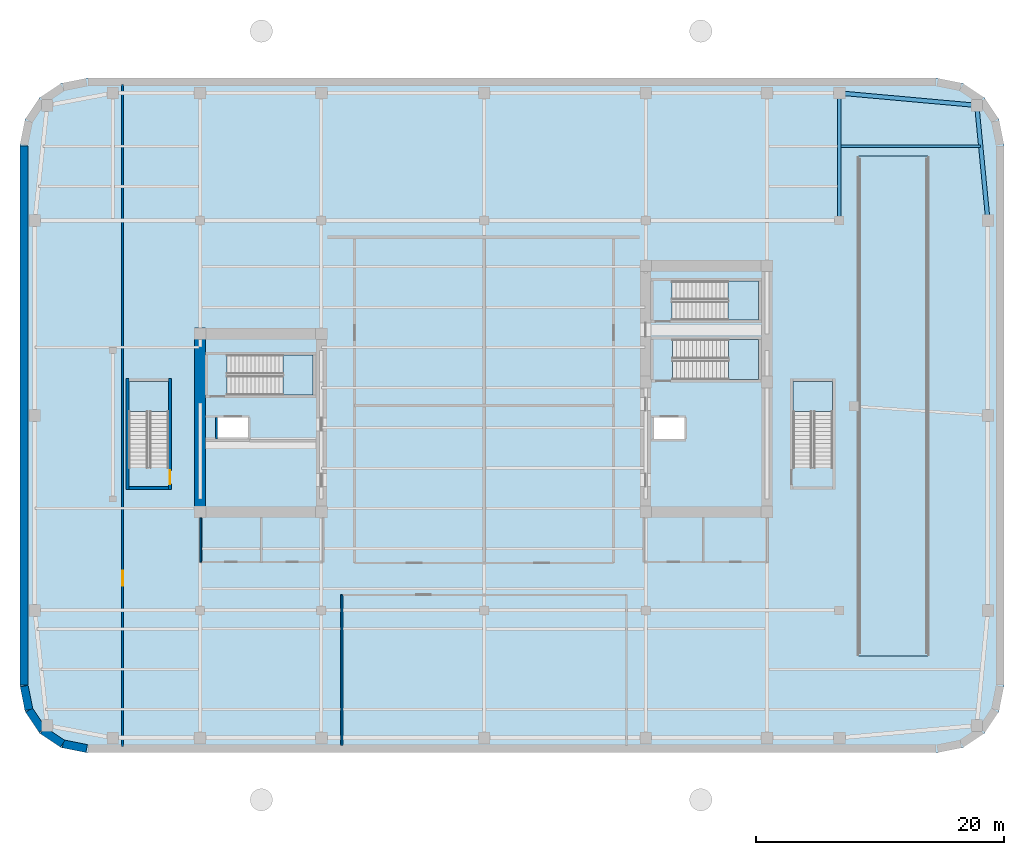
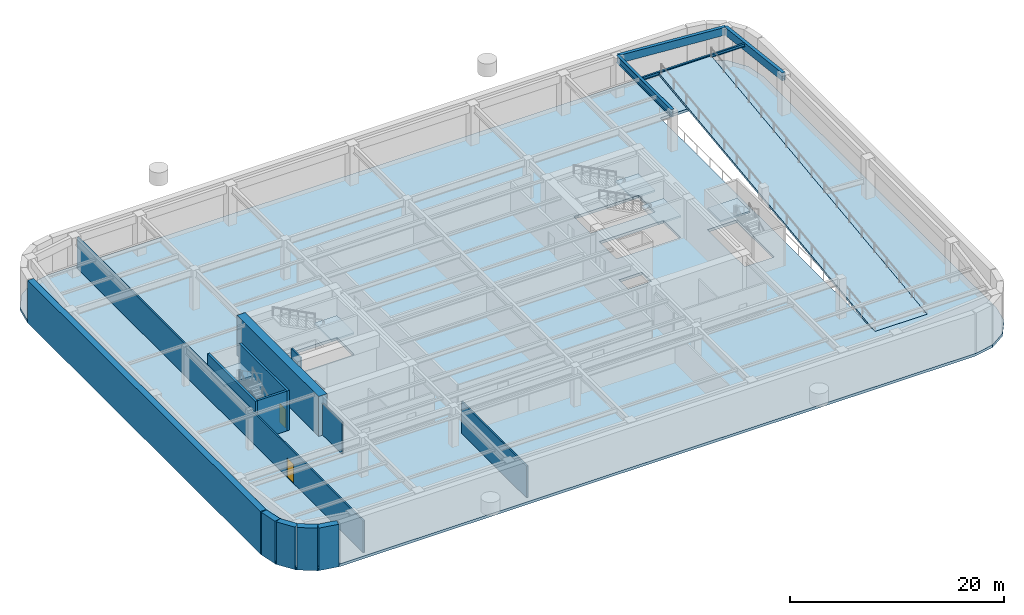
# One storey, part 3 of 12: 13 walls, 7 slabs, 4 beams, 2 doors, 2 openings, 5 elements without a shape of their own.
"""IFC4 building model written with IfcOpenShell, lengths in metres."""

from ifc_helpers import new_model, si_unit, direction, frame, frame_2d, origin, origin_2d, place, context, subcontext, project, spatial, polyline, rectangle, hollow_rectangle, i_section, outline, extrude, material, layer, layer_set, material_profile, profile_set, type_object, element, fill, aggregate, save


model = new_model("IFC4")

# Units and contexts
model_context = context("Model", 3, precision=1e-05, world=origin(), true_north=direction((0.0, 1.0)))
body_context = subcontext(model_context, "Body", "Model", "MODEL_VIEW")
ifc_project = project(units=[si_unit("LENGTHUNIT", "METRE"), si_unit("AREAUNIT", "SQUARE_METRE"), si_unit("VOLUMEUNIT", "CUBIC_METRE"), si_unit("PLANEANGLEUNIT", "RADIAN"), si_unit("MASSUNIT", "GRAM", prefix="KILO")], contexts=[model_context])

# Site, building, storey
site_placement = place(None, origin())
site = spatial("IfcSite", under=ifc_project, at=site_placement, CompositionType="ELEMENT")
building_placement = place(site_placement, origin())
building = spatial("IfcBuilding", under=site, at=building_placement, Name="Kolvaren Arena Tower", CompositionType="ELEMENT")
storey_placement = place(building_placement, frame((0.0, 0.0, -5.0)))
storey = spatial("IfcBuildingStorey", under=building, at=storey_placement, Name="B01", CompositionType="ELEMENT", Elevation=-5.0)

# Beams
ifc_material_1 = material(Name="Steel CSA G40.21 350W", Category="steel")
ifc_material_profile_1 = material_profile(ifc_material_1, i_section(OverallWidth=0.2919921875, OverallDepth=0.85498046875, WebThickness=0.02099609375, FlangeThickness=0.03564453125, FilletRadius=0.01806640625, at=origin_2d()), Name="W840x299")
ifc_profile_set_1 = profile_set([ifc_material_profile_1], Name="Steel CSA G40.21 350W")
beam_type_1 = type_object("IfcBeamType", Name="GIRD-P1", PredefinedType="BEAM", material=ifc_profile_set_1)
beam_1_placement = place(storey_placement, frame((66.199951171875, 43.0, 4.12255859375), z_axis=(0.0, 1.0, 0.0), x_axis=(-1.0, 0.0, 0.0)))
element("IfcBeam", 1, at=beam_1_placement, inside=storey, type_object=beam_type_1, Name="Primary Floor Girder (B01)", PredefinedType="BEAM", context=body_context, shape_type="SweptSolid", body=[
    extrude(i_section(OverallWidth=0.2919921875, OverallDepth=0.85498046875, WebThickness=0.02099609375, FlangeThickness=0.03564453125, FilletRadius=0.01806640625, at=origin_2d()), origin(), (0.0, 0.0, 1.0), 10.300048828125),
])
ifc_material_profile_2 = material_profile(ifc_material_1, i_section(OverallWidth=0.202880859375, OverallDepth=0.346923828125, WebThickness=0.0078125, FlangeThickness=0.013427734375, FilletRadius=0.010986328125, at=origin_2d()), Name="W360x64")
ifc_profile_set_2 = profile_set([ifc_material_profile_2], Name="Steel CSA G40.21 350W")
beam_type_2 = type_object("IfcBeamType", Name="JOIST-01", PredefinedType="JOIST", material=ifc_profile_set_2)
beam_2_placement = place(storey_placement, frame((66.345947265625, 49.0, 4.37646484375), z_axis=(1.0, 0.0, 0.0), x_axis=(0.0, 1.0, 0.0)))
element("IfcBeam", 2, at=beam_2_placement, inside=storey, type_object=beam_type_2, Name="Composite Floor Joist (B01)", PredefinedType="JOIST", context=body_context, shape_type="SweptSolid", body=[
    extrude(i_section(OverallWidth=0.202880859375, OverallDepth=0.346923828125, WebThickness=0.0078125, FlangeThickness=0.013427734375, FilletRadius=0.010986328125, at=origin_2d()), origin(), (0.0, 0.0, 1.0), 11.2734375),
])
ifc_material_2 = material(Name="Steel CSA G40.21 350WT", Category="steel")
ifc_material_profile_3 = material_profile(ifc_material_2, hollow_rectangle(XDim=0.35009765625, YDim=0.89990234375, WallThickness=0.02001953125, at=origin_2d()), Name="HSS 900x350x20")
ifc_profile_set_3 = profile_set([ifc_material_profile_3], Name="Steel CSA G40.21 350WT")
beam_type_3 = type_object("IfcBeamType", Name="SPAND-01", PredefinedType="SPANDREL", material=ifc_profile_set_3)
beam_3_placement = place(storey_placement, frame((78.199951171875, 43.0, 4.10009765625), z_axis=(-0.09631333899, 0.995351064064, 0.0), x_axis=(-0.995351064064, -0.09631333899, 0.0)))
element("IfcBeam", 3, at=beam_3_placement, inside=storey, type_object=beam_type_3, Name="Perimeter Spandrel Beam (B01)", PredefinedType="SPANDREL", context=body_context, shape_type="SweptSolid", body=[
    extrude(hollow_rectangle(XDim=0.35009765625, YDim=0.89990234375, WallThickness=0.02001953125, at=origin_2d()), origin(), (0.0, 0.0, 1.0), 9.343505859375),
])
beam_4_placement = place(storey_placement, frame((77.300048828125, 52.300048828125, 4.10009765625), z_axis=(-0.995966494892, 0.089725921855, 0.0), x_axis=(-0.089725921855, -0.995966494892, 0.0)))
element("IfcBeam", 4, at=beam_4_placement, inside=storey, type_object=beam_type_3, Name="Perimeter Spandrel Beam (B01)", PredefinedType="SPANDREL", context=body_context, shape_type="SweptSolid", body=[
    extrude(hollow_rectangle(XDim=0.35009765625, YDim=0.89990234375, WallThickness=0.02001953125, at=origin_2d()), origin(), (0.0, 0.0, 1.0), 11.14501953125),
])

# Stair, slab
ifc_material_3 = material(Name="Concrete 45 MPa", Category="concrete")
stair_type_1 = type_object("IfcStairType", Name="STAIR-CORE-165", PredefinedType="HALF_TURN_STAIR", material=ifc_material_3)
stair_1_placement = place(storey_placement, origin())
stair_1 = element("IfcStair", 5, at=stair_1_placement, inside=storey, type_object=stair_type_1, Name="B01 ST-W1", PredefinedType="HALF_TURN_STAIR")
ifc_layer_1 = layer(ifc_material_3, 0.199951171875)
ifc_layer_set_1 = layer_set([ifc_layer_1], Name="Concrete 45 MPa")
slab_type_1 = type_object("IfcSlabType", Name="SLAB-LAND", PredefinedType="LANDING", material=ifc_layer_set_1)
slab_1_placement = place(storey_placement, frame((0.0, 0.0, 2.300048828125)))
slab_1 = element("IfcSlab", 6, at=slab_1_placement, type_object=slab_type_1, Name="ST-W1 landing 1", PredefinedType="LANDING", context=body_context, shape_type="SweptSolid", body=[
    extrude(outline(polyline([(21.256103515625, 28.89990234375), (23.659912109375, 28.89990234375), (23.659912109375, 32.1298828125), (21.256103515625, 32.1298828125), (21.256103515625, 28.89990234375)])), origin(), (0.0, 0.0, 1.0), 0.199951171875),
])
aggregate(stair_1, [slab_1])

stair_2_placement = place(storey_placement, origin())
stair_2 = element("IfcStair", 7, at=stair_2_placement, inside=storey, type_object=stair_type_1, Name="B01 ST-E1", PredefinedType="HALF_TURN_STAIR")
slab_2_placement = place(storey_placement, frame((0.0, 0.0, 2.300048828125)))
slab_2 = element("IfcSlab", 8, at=slab_2_placement, type_object=slab_type_1, Name="ST-E1 landing 1", PredefinedType="LANDING", context=body_context, shape_type="SweptSolid", body=[
    extrude(outline(polyline([(57.256103515625, 30.14990234375), (59.659912109375, 30.14990234375), (59.659912109375, 33.3798828125), (57.256103515625, 33.3798828125), (57.256103515625, 30.14990234375)])), origin(), (0.0, 0.0, 1.0), 0.199951171875),
])
aggregate(stair_2, [slab_2])

stair_type_2 = type_object("IfcStairType", Name="STAIR-CORE-150", PredefinedType="HALF_TURN_STAIR", material=ifc_material_3)
stair_3_placement = place(storey_placement, origin())
stair_3 = element("IfcStair", 9, at=stair_3_placement, inside=storey, type_object=stair_type_2, Name="B01 ST-E2", PredefinedType="HALF_TURN_STAIR")
slab_3_placement = place(storey_placement, frame((0.0, 0.0, 2.300048828125)))
slab_3 = element("IfcSlab", 10, at=slab_3_placement, type_object=slab_type_1, Name="ST-E2 landing 1", PredefinedType="LANDING", context=body_context, shape_type="SweptSolid", body=[
    extrude(outline(polyline([(57.216064453125, 34.949951171875), (59.659912109375, 34.949951171875), (59.659912109375, 38.10009765625), (57.216064453125, 38.10009765625), (57.216064453125, 34.949951171875)])), origin(), (0.0, 0.0, 1.0), 0.199951171875),
])
aggregate(stair_3, [slab_3])

stair_type_3 = type_object("IfcStairType", Name="STAIR-BSMT-140", PredefinedType="HALF_TURN_STAIR", material=ifc_material_3)
stair_4_placement = place(storey_placement, origin())
stair_4 = element("IfcStair", 11, at=stair_4_placement, inside=storey, type_object=stair_type_3, Name="B01 ST-B1", PredefinedType="HALF_TURN_STAIR")
slab_4_placement = place(storey_placement, frame((0.0, 0.0, 2.300048828125)))
slab_4 = element("IfcSlab", 12, at=slab_4_placement, type_object=slab_type_1, Name="ST-B1 landing 1", PredefinedType="LANDING", context=body_context, shape_type="SweptSolid", body=[
    extrude(outline(polyline([(12.0, 27.555908203125), (12.0, 30.0), (8.81005859375, 30.0), (8.81005859375, 27.555908203125), (12.0, 27.555908203125)])), origin(), (0.0, 0.0, 1.0), 0.199951171875),
])
aggregate(stair_4, [slab_4])

stair_5_placement = place(storey_placement, origin())
stair_5 = element("IfcStair", 13, at=stair_5_placement, inside=storey, type_object=stair_type_3, Name="B01 ST-B2", PredefinedType="HALF_TURN_STAIR")
slab_5_placement = place(storey_placement, frame((0.0, 0.0, 2.300048828125)))
slab_5 = element("IfcSlab", 14, at=slab_5_placement, type_object=slab_type_1, Name="ST-B2 landing 1", PredefinedType="LANDING", context=body_context, shape_type="SweptSolid", body=[
    extrude(outline(polyline([(65.64990234375, 27.555908203125), (65.64990234375, 30.0), (62.4599609375, 30.0), (62.4599609375, 27.555908203125), (65.64990234375, 27.555908203125)])), origin(), (0.0, 0.0, 1.0), 0.199951171875),
])
aggregate(stair_5, [slab_5])

# Slabs
ifc_layer_2 = layer(ifc_material_3, 0.31005859375)
ifc_layer_set_2 = layer_set([ifc_layer_2], Name="Concrete 45 MPa")
slab_type_2 = type_object("IfcSlabType", Name="SLAB-OFF1", PredefinedType="FLOOR", material=ifc_layer_set_2)
slab_6_placement = place(storey_placement, frame((0.0, 0.0, -0.31005859375)))
element("IfcSlab", 15, at=slab_6_placement, inside=storey, type_object=slab_type_2, Name="B01 Primary Structural Slab", PredefinedType="FLOOR", context=body_context, shape_type="SweptSolid", body=[
    extrude(outline(polyline([(74.10009765625, 0.0), (76.16650390625, 0.4111328125), (77.91845703125, 1.58154296875), (79.0888671875, 3.33349609375), (79.5, 5.39990234375), (79.5, 49.10009765625), (79.0888671875, 51.16650390625), (77.91845703125, 52.91845703125), (76.16650390625, 54.0888671875), (74.10009765625, 54.5), (5.39990234375, 54.5), (3.33349609375, 54.0888671875), (1.58154296875, 52.91845703125), (0.4111328125, 51.16650390625), (0.0, 49.10009765625), (0.0, 5.39990234375), (0.4111328125, 3.33349609375), (1.58154296875, 1.58154296875), (3.33349609375, 0.4111328125), (5.39990234375, 0.0), (74.10009765625, 0.0)]), holes=[polyline([(73.35009765625, 8.0), (67.75, 8.0), (67.75, 48.0), (73.35009765625, 48.0), (73.35009765625, 8.0)]), polyline([(12.0, 30.0), (12.0, 23.034912109375), (8.81005859375, 23.034912109375), (8.81005859375, 30.0), (12.0, 30.0)]), polyline([(65.64990234375, 30.0), (65.64990234375, 23.034912109375), (62.4599609375, 23.034912109375), (62.4599609375, 30.0), (65.64990234375, 30.0)]), polyline([(18.43994140625, 25.3349609375), (15.9599609375, 25.3349609375), (15.9599609375, 27.06494140625), (18.43994140625, 27.06494140625), (18.43994140625, 25.3349609375)]), polyline([(53.699951171875, 25.3349609375), (51.219970703125, 25.3349609375), (51.219970703125, 27.06494140625), (53.699951171875, 27.06494140625), (53.699951171875, 25.3349609375)]), polyline([(23.659912109375, 28.89990234375), (16.735107421875, 28.89990234375), (16.735107421875, 32.1298828125), (23.659912109375, 32.1298828125), (23.659912109375, 28.89990234375)]), polyline([(59.659912109375, 30.14990234375), (52.735107421875, 30.14990234375), (52.735107421875, 33.3798828125), (59.659912109375, 33.3798828125), (59.659912109375, 30.14990234375)]), polyline([(59.659912109375, 34.949951171875), (52.695068359375, 34.949951171875), (52.695068359375, 38.10009765625), (59.659912109375, 38.10009765625), (59.659912109375, 34.949951171875)])]), origin(), (0.0, 0.0, 1.0), 0.31005859375),
])
ifc_material_4 = material(Name="Concrete C40/50", Category="concrete")
ifc_layer_3 = layer(ifc_material_4, 0.25)
ifc_layer_set_3 = layer_set([ifc_layer_3], Name="Concrete C40/50")
slab_type_3 = type_object("IfcSlabType", Name="SLAB-VRAMP", PredefinedType="FLOOR", material=ifc_layer_set_3)
slab_7_placement = place(storey_placement, frame((67.72998046875, 7.800048828125, 0.0), z_axis=(0.0, -0.122825578228, 0.992428273143), x_axis=(1.0, 0.0, 0.0)))
element("IfcSlab", 16, at=slab_7_placement, inside=storey, type_object=slab_type_3, Name="Basement Car Park Vehicle Ramp Slab VR-B01-L00", PredefinedType="FLOOR", context=body_context, shape_type="SweptSolid", body=[
    extrude(outline(polyline([(0.0, 0.0), (5.64013671875, 0.0), (5.64013671875, 40.70813320928063), (0.0, 40.70813320928063), (0.0, 0.0)])), origin(), (0.0, 0.0, -1.0), 0.25),
])

# Wall
ifc_material_5 = material(Name="Gypsum board acoustic assembly", Category="gypsum")
ifc_layer_4 = layer(ifc_material_5, 0.159912109375)
ifc_layer_set_4 = layer_set([ifc_layer_4], Name="Gypsum board acoustic assembly")
wall_type_1 = type_object("IfcWallType", Name="CORR-160", PredefinedType="PARTITIONING", material=ifc_layer_set_4)
wall_1_placement = place(storey_placement, frame((26.0, 0.60009765625, 0.0), z_axis=(0.0, 0.0, 1.0), x_axis=(0.0, 1.0, 0.0)))
element("IfcWall", 17, at=wall_1_placement, inside=storey, type_object=wall_type_1, Name="Interior Partition Wall (B01)", PredefinedType="PARTITIONING", context=body_context, shape_type="SweptSolid", body=[
    extrude(rectangle(XDim=12.159912109375, YDim=0.159912109375, at=frame_2d((6.080078125, 0.0))), origin(), (0.0, 0.0, 1.0), 3.610107421875),
])

# Wall, opening, door
wall_2_placement = place(storey_placement, frame((8.300048828125, 0.5, 0.0), z_axis=(0.0, 0.0, 1.0), x_axis=(0.0, 1.0, 0.0)))
wall_2 = element("IfcWall", 18, at=wall_2_placement, inside=storey, type_object=wall_type_1, Name="Interior Partition Wall (B01)", PredefinedType="PARTITIONING", context=body_context, shape_type="SweptSolid", body=[
    extrude(rectangle(XDim=53.5, YDim=0.159912109375, at=frame_2d((26.75, 0.0))), origin(), (0.0, 0.0, 1.0), 3.610107421875),
])
opening_1_placement = place(wall_2_placement, frame((13.0, 0.0, 0.0)))
opening_1 = element("IfcOpeningElement", 19, at=opening_1_placement, cuts=wall_2, Name="Opening D08", PredefinedType="OPENING", context=body_context, shape_type="SweptSolid", body=[
    extrude(rectangle(XDim=1.199951171875, YDim=2.199951171875, at=frame_2d((0.60009765625, 1.10009765625))), frame((0.0, 0.08984375, 0.0), z_axis=(0.0, -1.0, 0.0), x_axis=(1.0, 0.0, 0.0)), (0.0, 0.0, 1.0), 0.179931640625),
])
ifc_material_6 = material(Name="Fire-rated steel plant room door", Category="steel")
door_type_1 = type_object("IfcDoorType", Name="DOOR-PL-120", OperationType="NOTDEFINED", PredefinedType="DOOR", material=ifc_material_6)
door_1_placement = place(opening_1_placement, origin())
door_1 = element("IfcDoor", 20, at=door_1_placement, inside=storey, type_object=door_type_1, Name="Broadcast Compound Door", OperationType="SINGLE_SWING_LEFT", OverallHeight=2.199951171875, OverallWidth=1.199951171875, PredefinedType="DOOR", context=body_context, shape_type="SweptSolid", body=[
    extrude(rectangle(XDim=1.199951171875, YDim=2.199951171875, at=frame_2d((0.60009765625, 1.10009765625))), frame((0.0, 0.02490234375, 0.0), z_axis=(0.0, -1.0, 0.0), x_axis=(1.0, 0.0, 0.0)), (0.0, 0.0, 1.0), 0.050048828125),
])
fill(opening_1, door_1)

# Walls
ifc_material_7 = material(Name="Concrete 80 MPa", Category="concrete")
ifc_layer_5 = layer(ifc_material_7, 0.89990234375)
ifc_layer_set_5 = layer_set([ifc_layer_5], Name="Concrete 80 MPa")
wall_type_2 = type_object("IfcWallType", Name="CWALL-900", PredefinedType="SHEAR", material=ifc_layer_set_5)
wall_3_placement = place(storey_placement, frame((14.550048828125, 19.0, -0.31005859375), z_axis=(0.0, 0.0, 1.0), x_axis=(0.0, 1.0, 0.0)))
element("IfcWall", 21, at=wall_3_placement, inside=storey, type_object=wall_type_2, Name="Core Shear Wall WC-WEST (B01)", PredefinedType="SHEAR", context=body_context, shape_type="SweptSolid", body=[
    extrude(rectangle(XDim=15.300048828125, YDim=0.89990234375, at=frame_2d((7.64990234375, 0.0))), origin(), (0.0, 0.0, 1.0), 4.860107421875),
])
ifc_material_8 = material(Name="Concrete 50 MPa", Category="concrete")
ifc_layer_6 = layer(ifc_material_8, 0.64990234375)
ifc_layer_set_6 = layer_set([ifc_layer_6], Name="Concrete 50 MPa")
wall_type_3 = type_object("IfcWallType", Name="RWALL-650", PredefinedType="USERDEFINED", material=ifc_layer_set_6)
wall_4_placement = place(storey_placement, frame((0.324951171875, 5.485107421875, -0.31005859375), z_axis=(0.0, 0.0, 1.0), x_axis=(0.0, 1.0, 0.0)))
element("IfcWall", 22, at=wall_4_placement, inside=storey, type_object=wall_type_3, Name="Basement Perimeter Retaining Wall (B01)", ObjectType="RETAININGWALL", PredefinedType="USERDEFINED", context=body_context, shape_type="SweptSolid", body=[
    extrude(rectangle(XDim=43.52978515625, YDim=0.64990234375, at=frame_2d((21.764892578125, 0.0))), origin(), (0.0, 0.0, 1.0), 4.860107421875),
])
for number, where, z_axis, x_axis, name in (
    (23, (0.71337890625, 3.480224609375, -0.31005859375), (0.0, 0.0, 1.0), (-0.19524343944, 0.980754811029, 0.0), "Basement Perimeter Retaining Wall (B01)"),
    (24, (1.8046875, 1.832763671875, -0.31005859375), (0.0, 0.0, 1.0), (-0.555572457191, 0.831468126154, 0.0), "Basement Perimeter Retaining Wall (B01)"),
    (25, (3.443359375, 0.728515625, -0.31005859375), (0.0, 0.0, 1.0), (-0.831468126154, 0.555572457191, 0.0), "Basement Perimeter Retaining Wall (B01)"),
    (26, (5.3798828125, 0.335205078125, -0.31005859375), (0.0, 0.0, 1.0), (-0.980754811029, 0.19524343944, 0.0), "Basement Perimeter Retaining Wall (B01)"),
):
    element("IfcWall", number, at=place(storey_placement, frame(where, z_axis=z_axis, x_axis=x_axis)), inside=storey, type_object=wall_type_3, Name=name, ObjectType="RETAININGWALL", PredefinedType="USERDEFINED", context=body_context, shape_type="SweptSolid", body=[
        extrude(rectangle(XDim=1.93701171875, YDim=0.64990234375, at=frame_2d((0.968505859375, 0.0))), origin(), (0.0, 0.0, 1.0), 4.860107421875),
    ])

# Wall, opening, door
ifc_layer_7 = layer(ifc_material_3, 0.25)
ifc_layer_set_7 = layer_set([ifc_layer_7], Name="Concrete 45 MPa")
wall_type_4 = type_object("IfcWallType", Name="SHAFT-250", PredefinedType="SOLIDWALL", material=ifc_layer_set_7)
wall_5_placement = place(storey_placement, frame((12.1201171875, 30.239990234375, 0.0), z_axis=(0.0, 0.0, 1.0), x_axis=(0.0, -1.0, 0.0)))
wall_5 = element("IfcWall", 27, at=wall_5_placement, inside=storey, type_object=wall_type_4, Name="Stair ST-B1 Rated Enclosure Wall (B01)", PredefinedType="SOLIDWALL", context=body_context, shape_type="SweptSolid", body=[
    extrude(rectangle(XDim=8.97998046875, YDim=0.239990234375, at=frame_2d((4.489990234375, 0.0))), origin(), (0.0, 0.0, 1.0), 4.550048828125),
])
opening_2_placement = place(wall_5_placement, frame((7.429931640625, 0.0, 0.0)))
opening_2 = element("IfcOpeningElement", 28, at=opening_2_placement, cuts=wall_5, Name="Opening D03", PredefinedType="OPENING", context=body_context, shape_type="SweptSolid", body=[
    extrude(rectangle(XDim=1.10009765625, YDim=2.14990234375, at=frame_2d((0.550048828125, 1.074951171875))), frame((0.0, 0.1298828125, 0.0), z_axis=(0.0, -1.0, 0.0), x_axis=(1.0, 0.0, 0.0)), (0.0, 0.0, 1.0), 0.260009765625),
])
ifc_material_9 = material(Name="Fire-rated steel exit stair door", Category="steel")
door_type_2 = type_object("IfcDoorType", Name="DOOR-ST-110", OperationType="NOTDEFINED", PredefinedType="DOOR", material=ifc_material_9)
door_2_placement = place(opening_2_placement, origin())
door_2 = element("IfcDoor", 29, at=door_2_placement, inside=storey, type_object=door_type_2, Name="Exit Stair ST-B1 Fire Door (B01)", OperationType="SINGLE_SWING_RIGHT", OverallHeight=2.14990234375, OverallWidth=1.10009765625, PredefinedType="DOOR", context=body_context, shape_type="SweptSolid", body=[
    extrude(rectangle(XDim=1.10009765625, YDim=2.14990234375, at=frame_2d((0.550048828125, 1.074951171875))), frame((0.0, 0.02490234375, 0.0), z_axis=(0.0, -1.0, 0.0), x_axis=(1.0, 0.0, 0.0)), (0.0, 0.0, 1.0), 0.050048828125),
])
fill(opening_2, door_2)

# Walls
wall_6_placement = place(storey_placement, frame((8.68994140625, 21.260009765625, 0.0), z_axis=(0.0, 0.0, 1.0), x_axis=(0.0, 1.0, 0.0)))
element("IfcWall", 30, at=wall_6_placement, inside=storey, type_object=wall_type_4, Name="Stair ST-B1 Rear Shaft Wall (B01)", PredefinedType="SOLIDWALL", context=body_context, shape_type="SweptSolid", body=[
    extrude(rectangle(XDim=8.97998046875, YDim=0.239990234375, at=frame_2d((4.489990234375, 0.0))), origin(), (0.0, 0.0, 1.0), 4.550048828125),
])
wall_7_placement = place(storey_placement, frame((8.81005859375, 21.3798828125, 0.0), z_axis=(0.0, 0.0, 1.0), x_axis=(1.0, 0.0, 0.0)))
element("IfcWall", 31, at=wall_7_placement, inside=storey, type_object=wall_type_4, Name="Stair ST-B1 South Shaft Wall (B01)", PredefinedType="SOLIDWALL", context=body_context, shape_type="SweptSolid", body=[
    extrude(rectangle(XDim=3.18994140625, YDim=0.239990234375, at=frame_2d((1.594970703125, 0.0))), origin(), (0.0, 0.0, 1.0), 4.550048828125),
])
wall_8_placement = place(storey_placement, frame((15.8701171875, 25.3349609375, 0.0), z_axis=(0.0, 0.0, 1.0), x_axis=(0.0, 1.0, 0.0)))
element("IfcWall", 32, at=wall_8_placement, inside=storey, type_object=wall_type_4, Name="Core Shaft Wall (B01)", PredefinedType="SOLIDWALL", context=body_context, shape_type="SweptSolid", body=[
    extrude(rectangle(XDim=1.72998046875, YDim=0.179931640625, at=frame_2d((0.864990234375, 0.0))), origin(), (0.0, 0.0, 1.0), 4.550048828125),
])
ifc_material_10 = material(Name="Moisture-resistant gypsum assembly", Category="gypsum")
ifc_layer_8 = layer(ifc_material_10, 0.14990234375)
ifc_layer_set_8 = layer_set([ifc_layer_8], Name="Moisture-resistant gypsum assembly")
wall_type_5 = type_object("IfcWallType", Name="WETW-150", PredefinedType="PARTITIONING", material=ifc_layer_set_8)
wall_9_placement = place(storey_placement, frame((14.60009765625, 15.39990234375, 0.0), z_axis=(0.0, 0.0, 1.0), x_axis=(0.0, 1.0, 0.0)))
element("IfcWall", 33, at=wall_9_placement, inside=storey, type_object=wall_type_5, Name="Interior Partition Wall (B01)", PredefinedType="PARTITIONING", context=body_context, shape_type="SweptSolid", body=[
    extrude(rectangle(XDim=3.580078125, YDim=0.14990234375, at=frame_2d((1.7900390625, 0.0))), origin(), (0.0, 0.0, 1.0), 3.610107421875),
])

save(model, "model.ifc")
